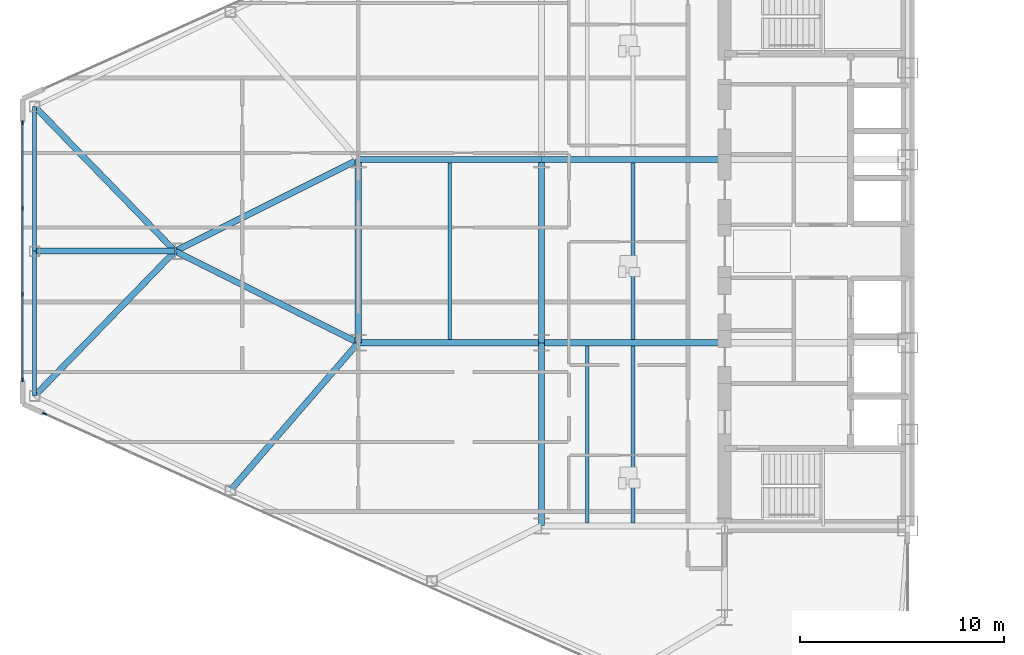
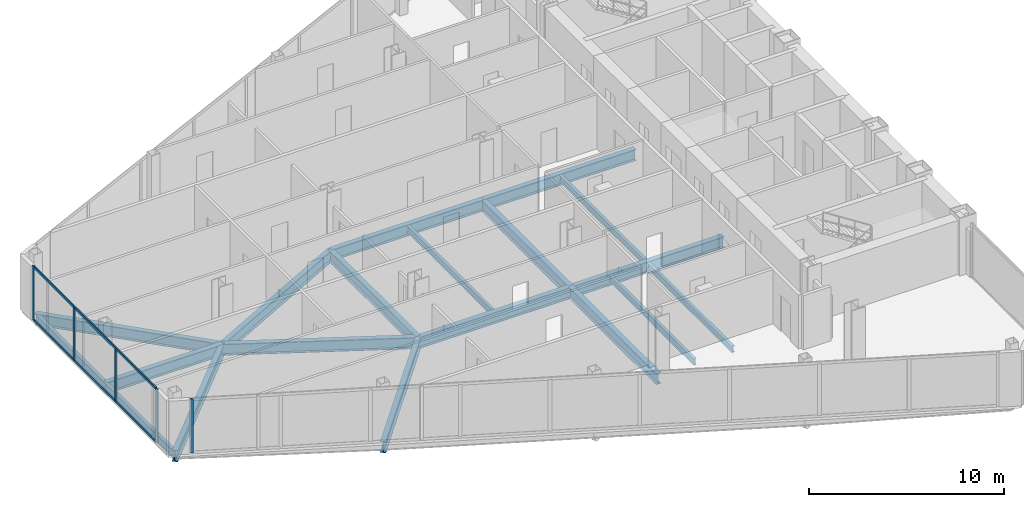
# One storey, part 5 of 27: 19 beams, 7 members, 2 elements without a shape of their own.
"""IFC4 building model written with IfcOpenShell, lengths in metres."""

from ifc_helpers import new_model, si_unit, direction, frame, origin, origin_2d, place, context, subcontext, project, spatial, rectangle, i_section, extrude, source, transform, mapped, material, layer, layer_set, material_profile, profile_set, type_object, type_shapes, element, aggregate, save


model = new_model("IFC4")

# Units and contexts
model_context = context("Model", 3, precision=1e-05, world=origin(), true_north=direction((0.0, 1.0)))
body_context = subcontext(model_context, "Body", "Model", "MODEL_VIEW")
ifc_project = project(units=[si_unit("LENGTHUNIT", "METRE"), si_unit("AREAUNIT", "SQUARE_METRE"), si_unit("VOLUMEUNIT", "CUBIC_METRE"), si_unit("PLANEANGLEUNIT", "RADIAN"), si_unit("MASSUNIT", "GRAM", prefix="KILO")], contexts=[model_context])

# Site, building, storey
site_placement = place(None, origin())
site = spatial("IfcSite", under=ifc_project, at=site_placement, CompositionType="ELEMENT")
building_placement = place(site_placement, origin())
building = spatial("IfcBuilding", under=site, at=building_placement, Name="Seokmaru Belvedere", CompositionType="ELEMENT")
storey_placement = place(building_placement, frame((0.0, 0.0, 92.39990234375)))
storey = spatial("IfcBuildingStorey", under=building, at=storey_placement, Name="L24", CompositionType="ELEMENT", Elevation=92.39990234375)

# Beams
ifc_material_1 = material(Name="Steel SM355 (355 MPa)", Category="steel")
ifc_material_profile_1 = material_profile(ifc_material_1, i_section(OverallWidth=0.300048828125, OverallDepth=0.699951171875, WebThickness=0.012939453125, FlangeThickness=0.02392578125, at=origin_2d()), Name="H-700x300x13x24")
ifc_profile_set_1 = profile_set([ifc_material_profile_1], Name="Steel SM355 (355 MPa)")
beam_type_1 = type_object("IfcBeamType", Name="Primary Floor Girder H-700", PredefinedType="BEAM", material=ifc_profile_set_1)
shared_shape_1 = source(origin(), body_context, "Body", "SweptSolid", [
    extrude(i_section(OverallWidth=0.300048828125, OverallDepth=0.699951171875, WebThickness=0.012939453125, FlangeThickness=0.02392578125, at=origin_2d()), origin(), (0.0, 0.0, 1.0), 9.0),
])
for number, where, z_axis, x_axis, name in (
    (1, (-45.5, -13.5, -0.56982421875), (0.0, 1.0, 0.0), (-1.0, 0.0, 0.0), "L24 W Interior Grid Girder 1"),
    (2, (-45.5, -4.5, -0.56982421875), (0.0, 1.0, 0.0), (-1.0, 0.0, 0.0), "L24 W Interior Grid Girder 2"),
    (3, (-45.5, -4.5, -0.56982421875), (1.0, 0.0, 0.0), (0.0, 1.0, 0.0), "L24 W Wing Primary Girder 2"),
    (4, (-45.5, 4.5, -0.56982421875), (1.0, 0.0, 0.0), (0.0, 1.0, 0.0), "L24 W Wing Primary Girder 3"),
    (5, (-54.5, -4.5, -0.56982421875), (1.0, 0.0, 0.0), (0.0, 1.0, 0.0), "L24 W Outer Wing Girder 1"),
    (6, (-54.5, 4.5, -0.56982421875), (1.0, 0.0, 0.0), (0.0, 1.0, 0.0), "L24 W Outer Wing Girder 2"),
    (7, (-54.5, -4.5, -0.56982421875), (0.0, 1.0, 0.0), (-1.0, 0.0, 0.0), "L24 W Apex Frame Girder"),
):
    element("IfcBeam", number, at=place(storey_placement, frame(where, z_axis=z_axis, x_axis=x_axis)), inside=storey, type_object=beam_type_1, Name=name, PredefinedType="BEAM", context=body_context, shape_type="MappedRepresentation", body=[
        mapped(shared_shape_1, transform((0.0, 0.0, 0.0), scale=1.0)),
    ])
shared_shape_2 = source(origin(), body_context, "Body", "SweptSolid", [
    extrude(i_section(OverallWidth=0.300048828125, OverallDepth=0.699951171875, WebThickness=0.012939453125, FlangeThickness=0.02392578125, at=origin_2d()), origin(), (0.0, 0.0, 1.0), 10.062255859375),
])
for number, where, z_axis, x_axis, name in (
    (8, (-54.5, -4.5, -0.56982421875), (-0.894427191, 0.4472135955, 0.0), (-0.4472135955, -0.894427191, 0.0), "L24 W Apex Converging Girder 1"),
    (9, (-54.5, 4.5, -0.56982421875), (-0.894427191, -0.4472135955, 0.0), (0.4472135955, -0.894427191, 0.0), "L24 W Apex Converging Girder 2"),
):
    element("IfcBeam", number, at=place(storey_placement, frame(where, z_axis=z_axis, x_axis=x_axis)), inside=storey, type_object=beam_type_1, Name=name, PredefinedType="BEAM", context=body_context, shape_type="MappedRepresentation", body=[
        mapped(shared_shape_2, transform((0.0, 0.0, 0.0), scale=1.0)),
    ])
ifc_material_profile_2 = material_profile(ifc_material_1, i_section(OverallWidth=0.18505859375, OverallDepth=0.389892578125, WebThickness=0.008056640625, FlangeThickness=0.011962890625, at=origin_2d()), Name="H-390x185x8x12")
ifc_profile_set_2 = profile_set([ifc_material_profile_2], Name="Steel SM355 (355 MPa)")
beam_type_2 = type_object("IfcBeamType", Name="Secondary Floor Joist H-350", PredefinedType="JOIST", material=ifc_profile_set_2)
shared_shape_3 = source(origin(), body_context, "Body", "SweptSolid", [
    extrude(i_section(OverallWidth=0.18505859375, OverallDepth=0.389892578125, WebThickness=0.008056640625, FlangeThickness=0.011962890625, at=origin_2d()), origin(), (0.0, 0.0, 1.0), 8.68994140625),
])
type_shapes(beam_type_2, [shared_shape_3])
for number, where, z_axis, x_axis, name in (
    (10, (-43.25, -13.344970703125, -0.414794921875), (0.0, 1.0, 0.0), (-1.0, 0.0, 0.0), "L24 W Wing Inner Secondary Joist 1"),
    (11, (-41.0, -13.344970703125, -0.414794921875), (0.0, 1.0, 0.0), (-1.0, 0.0, 0.0), "L24 W Secondary Floor Joist 1"),
    (12, (-41.0, -4.344970703125, -0.414794921875), (0.0, 1.0, 0.0), (-1.0, 0.0, 0.0), "L24 W Secondary Floor Joist 2"),
    (13, (-50.0, -4.344970703125, -0.414794921875), (0.0, 1.0, 0.0), (-1.0, 0.0, 0.0), "L24 W Outer Bay Secondary Joist"),
):
    element("IfcBeam", number, at=place(storey_placement, frame(where, z_axis=z_axis, x_axis=x_axis)), inside=storey, type_object=beam_type_2, Name=name, PredefinedType="JOIST", context=body_context, shape_type="MappedRepresentation", body=[
        mapped(shared_shape_3, transform((0.0, 0.0, 0.0), scale=1.0)),
    ])
ifc_material_profile_3 = material_profile(ifc_material_1, i_section(OverallWidth=0.199951171875, OverallDepth=0.5, WebThickness=0.010009765625, FlangeThickness=0.01611328125, at=origin_2d()), Name="H-500x200x10x16")
ifc_profile_set_3 = profile_set([ifc_material_profile_3], Name="Steel SM355 (355 MPa)")
beam_type_3 = type_object("IfcBeamType", Name="Perimeter Spandrel Beam H-500", PredefinedType="SPANDREL", material=ifc_profile_set_3)
shared_shape_4 = source(origin(), body_context, "Body", "SweptSolid", [
    extrude(i_section(OverallWidth=0.199951171875, OverallDepth=0.5, WebThickness=0.010009765625, FlangeThickness=0.01611328125, at=origin_2d()), origin(), (0.0, 0.0, 1.0), 7.112060546875),
])
type_shapes(beam_type_3, [shared_shape_4])
for number, where, z_axis, x_axis, name in (
    (14, (-70.39990234375, -7.112060546875, -0.469970703125), (0.0, 1.0, 0.0), (-1.0, 0.0, 0.0), "L24 W Faceted Apex Spandrel S"),
    (15, (-70.39990234375, 0.0, -0.469970703125), (0.0, 1.0, 0.0), (-1.0, 0.0, 0.0), "L24 W Faceted Apex Spandrel N"),
):
    element("IfcBeam", number, at=place(storey_placement, frame(where, z_axis=z_axis, x_axis=x_axis)), inside=storey, type_object=beam_type_3, Name=name, PredefinedType="SPANDREL", context=body_context, shape_type="MappedRepresentation", body=[
        mapped(shared_shape_4, transform((0.0, 0.0, 0.0), scale=1.0)),
    ])
shared_shape_5 = source(origin(), body_context, "Body", "SweptSolid", [
    extrude(i_section(OverallWidth=0.300048828125, OverallDepth=0.699951171875, WebThickness=0.012939453125, FlangeThickness=0.02392578125, at=origin_2d()), origin(), (0.0, 0.0, 1.0), 9.589599609375),
])
beam_1_placement = place(storey_placement, frame((-60.777587890625, -11.749267578125, -0.56982421875), z_axis=(0.654626140929, 0.755952786629, 0.0), x_axis=(-0.755952786629, 0.654626140929, 0.0)))
element("IfcBeam", 16, at=beam_1_placement, inside=storey, type_object=beam_type_1, Name="L24 W Flank Radial Floor Girder S-3", PredefinedType="BEAM", context=body_context, shape_type="MappedRepresentation", body=[
    mapped(shared_shape_5, transform((0.0, 0.0, 0.0), scale=1.0)),
])
shared_shape_6 = source(origin(), body_context, "Body", "SweptSolid", [
    extrude(i_section(OverallWidth=0.300048828125, OverallDepth=0.699951171875, WebThickness=0.012939453125, FlangeThickness=0.02392578125, at=origin_2d()), origin(), (0.0, 0.0, 1.0), 9.9091796875),
])
for number, where, z_axis, x_axis, name in (
    (17, (-70.39990234375, -7.112060546875, -0.56982421875), (0.6963205089, 0.717730972499, 0.0), (-0.717730972499, 0.6963205089, 0.0), "L24 W Apex Radial Floor Girder 1"),
    (18, (-70.39990234375, 7.112060546875, -0.56982421875), (0.6963205089, -0.717730972499, 0.0), (0.717730972499, 0.6963205089, 0.0), "L24 W Apex Radial Floor Girder 2"),
):
    element("IfcBeam", number, at=place(storey_placement, frame(where, z_axis=z_axis, x_axis=x_axis)), inside=storey, type_object=beam_type_1, Name=name, PredefinedType="BEAM", context=body_context, shape_type="MappedRepresentation", body=[
        mapped(shared_shape_6, transform((0.0, 0.0, 0.0), scale=1.0)),
    ])
shared_shape_7 = source(origin(), body_context, "Body", "SweptSolid", [
    extrude(i_section(OverallWidth=0.300048828125, OverallDepth=0.699951171875, WebThickness=0.012939453125, FlangeThickness=0.02392578125, at=origin_2d()), origin(), (0.0, 0.0, 1.0), 6.89990234375),
])
type_shapes(beam_type_1, [shared_shape_1, shared_shape_2, shared_shape_5, shared_shape_6, shared_shape_7])
beam_2_placement = place(storey_placement, frame((-70.39990234375, 0.0, -0.56982421875), z_axis=(1.0, 0.0, 0.0), x_axis=(0.0, 1.0, 0.0)))
element("IfcBeam", 19, at=beam_2_placement, inside=storey, type_object=beam_type_1, Name="L24 W Apex Center Radial Girder", PredefinedType="BEAM", context=body_context, shape_type="MappedRepresentation", body=[
    mapped(shared_shape_7, transform((0.0, 0.0, 0.0), scale=1.0)),
])

# Curtain wall, members
ifc_material_2 = material(Name="Bronze Triple Insulating Glass", Category="glass")
ifc_layer = layer(ifc_material_2, 0.195068359375)
ifc_layer_set = layer_set([ifc_layer], Name="Bronze Triple Insulating Glass")
curtain_wall_type = type_object("IfcCurtainWallType", Name="Lower-Mid Tapered Curtain Wall System CW-3", PredefinedType="NOTDEFINED", material=ifc_layer_set)
curtain_wall_1_placement = place(storey_placement, origin())
curtain_wall_1 = element("IfcCurtainWall", 20, at=curtain_wall_1_placement, inside=storey, type_object=curtain_wall_type, Name="L24 Curtain Wall WF4", PredefinedType="NOTDEFINED")
ifc_material_3 = material(Name="Anodised Bronze Aluminium", Category="aluminium")
ifc_material_profile_4 = material_profile(ifc_material_3, rectangle(XDim=0.070068359375, YDim=0.195068359375, at=origin_2d()), Name="CW-M-70x195")
ifc_profile_set_4 = profile_set([ifc_material_profile_4], Name="Anodised Bronze Aluminium")
member_type_1 = type_object("IfcMemberType", Name="Bronze Unitised Mullion 70x195", PredefinedType="MULLION", material=ifc_profile_set_4)
shared_shape_8 = source(origin(), body_context, "Body", "SweptSolid", [
    extrude(rectangle(XDim=0.070068359375, YDim=0.195068359375, at=origin_2d()), origin(), (0.0, 0.0, 1.0), 3.239990234375),
])
member_1_placement = place(storey_placement, frame((-71.0, 2.11669921875, 0.070068359375), z_axis=(0.0, 0.0, 1.0), x_axis=(1.0, 0.0, 0.0)))
member_1 = element("IfcMember", 21, at=member_1_placement, type_object=member_type_1, Name="CW:L24:WF4 Mullion 2", PredefinedType="MULLION", context=body_context, shape_type="MappedRepresentation", body=[
    mapped(shared_shape_8, transform((0.0, 0.0, 0.0), scale=1.0)),
])
member_2_placement = place(storey_placement, frame((-71.0, -2.11669921875, 0.070068359375), z_axis=(0.0, 0.0, 1.0), x_axis=(1.0, 0.0, 0.0)))
member_2 = element("IfcMember", 22, at=member_2_placement, type_object=member_type_1, Name="CW:L24:WF4 Mullion 3", PredefinedType="MULLION", context=body_context, shape_type="MappedRepresentation", body=[
    mapped(shared_shape_8, transform((0.0, 0.0, 0.0), scale=1.0)),
])
ifc_material_profile_5 = material_profile(ifc_material_3, rectangle(XDim=0.070068359375, YDim=0.1650390625, at=origin_2d()), Name="CW-T-70x165")
ifc_profile_set_5 = profile_set([ifc_material_profile_5], Name="Anodised Bronze Aluminium")
member_type_2 = type_object("IfcMemberType", Name="Bronze Unitised Transom 70x165", PredefinedType="USERDEFINED", material=ifc_profile_set_5)
shared_shape_9 = source(origin(), body_context, "Body", "SweptSolid", [
    extrude(rectangle(XDim=0.070068359375, YDim=0.1650390625, at=origin_2d()), origin(), (0.0, 0.0, 1.0), 12.56005859375),
])
type_shapes(member_type_2, [shared_shape_9])
member_3_placement = place(storey_placement, frame((-71.0, 6.280029296875, 0.03515625), z_axis=(0.0, -1.0, 0.0), x_axis=(1.0, 0.0, 0.0)))
member_3 = element("IfcMember", 23, at=member_3_placement, type_object=member_type_2, Name="CW:L24:WF4 Continuous Transom 1", ObjectType="TRANSOM", PredefinedType="USERDEFINED", context=body_context, shape_type="MappedRepresentation", body=[
    mapped(shared_shape_9, transform((0.0, 0.0, 0.0), scale=1.0)),
])
member_4_placement = place(storey_placement, frame((-71.0, 6.280029296875, 3.34521484375), z_axis=(0.0, -1.0, 0.0), x_axis=(1.0, 0.0, 0.0)))
member_4 = element("IfcMember", 24, at=member_4_placement, type_object=member_type_2, Name="CW:L24:WF4 Continuous Transom 2", ObjectType="TRANSOM", PredefinedType="USERDEFINED", context=body_context, shape_type="MappedRepresentation", body=[
    mapped(shared_shape_9, transform((0.0, 0.0, 0.0), scale=1.0)),
])
shared_shape_10 = source(origin(), body_context, "Body", "SweptSolid", [
    extrude(rectangle(XDim=0.070068359375, YDim=0.195068359375, at=origin_2d()), origin(), (0.0, 0.0, 1.0), 3.380126953125),
])
type_shapes(member_type_1, [shared_shape_8, shared_shape_10])
member_5_placement = place(storey_placement, frame((-71.0, 6.31494140625, 0.0), z_axis=(0.0, 0.0, 1.0), x_axis=(1.0, 0.0, 0.0)))
member_5 = element("IfcMember", 25, at=member_5_placement, type_object=member_type_1, Name="CW:L24:WF4 Mullion 1", PredefinedType="MULLION", context=body_context, shape_type="MappedRepresentation", body=[
    mapped(shared_shape_10, transform((0.0, 0.0, 0.0), scale=1.0)),
])
member_6_placement = place(storey_placement, frame((-71.0, -6.31494140625, 0.0), z_axis=(0.0, 0.0, 1.0), x_axis=(1.0, 0.0, 0.0)))
member_6 = element("IfcMember", 26, at=member_6_placement, type_object=member_type_1, Name="CW:L24:WF4 Mullion 4", PredefinedType="MULLION", context=body_context, shape_type="MappedRepresentation", body=[
    mapped(shared_shape_10, transform((0.0, 0.0, 0.0), scale=1.0)),
])
aggregate(curtain_wall_1, [member_5, member_1, member_2, member_6, member_3, member_4])

# Curtain wall, member
curtain_wall_2_placement = place(storey_placement, origin())
curtain_wall_2 = element("IfcCurtainWall", 27, at=curtain_wall_2_placement, inside=storey, type_object=curtain_wall_type, Name="L24 Curtain Wall WF5", PredefinedType="NOTDEFINED")
member_7_placement = place(storey_placement, frame((-69.91943359375, -7.986328125, 0.0), z_axis=(0.0, 0.0, 1.0), x_axis=(0.41036554765, 0.91192111353, 0.0)))
member_7 = element("IfcMember", 28, at=member_7_placement, type_object=member_type_1, Name="CW:L24:WF5 Mullion 1", PredefinedType="MULLION", context=body_context, shape_type="MappedRepresentation", body=[
    mapped(shared_shape_10, transform((0.0, 0.0, 0.0), scale=1.0)),
])
aggregate(curtain_wall_2, [member_7])

save(model, "model.ifc")
